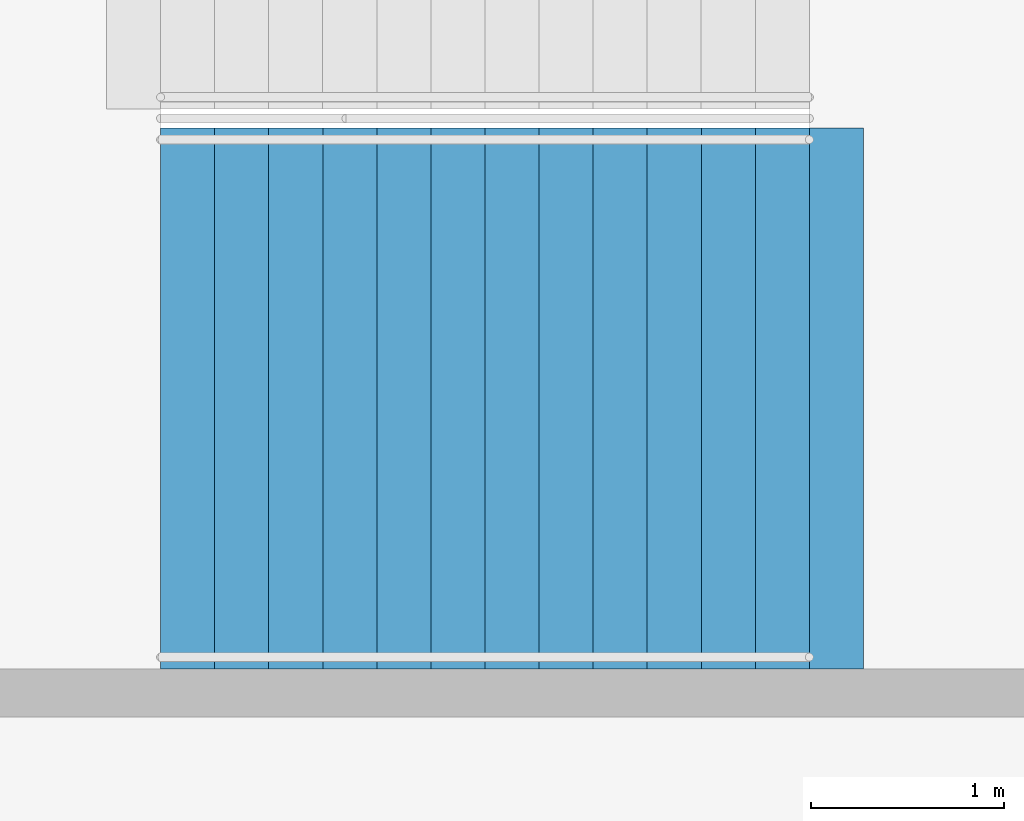
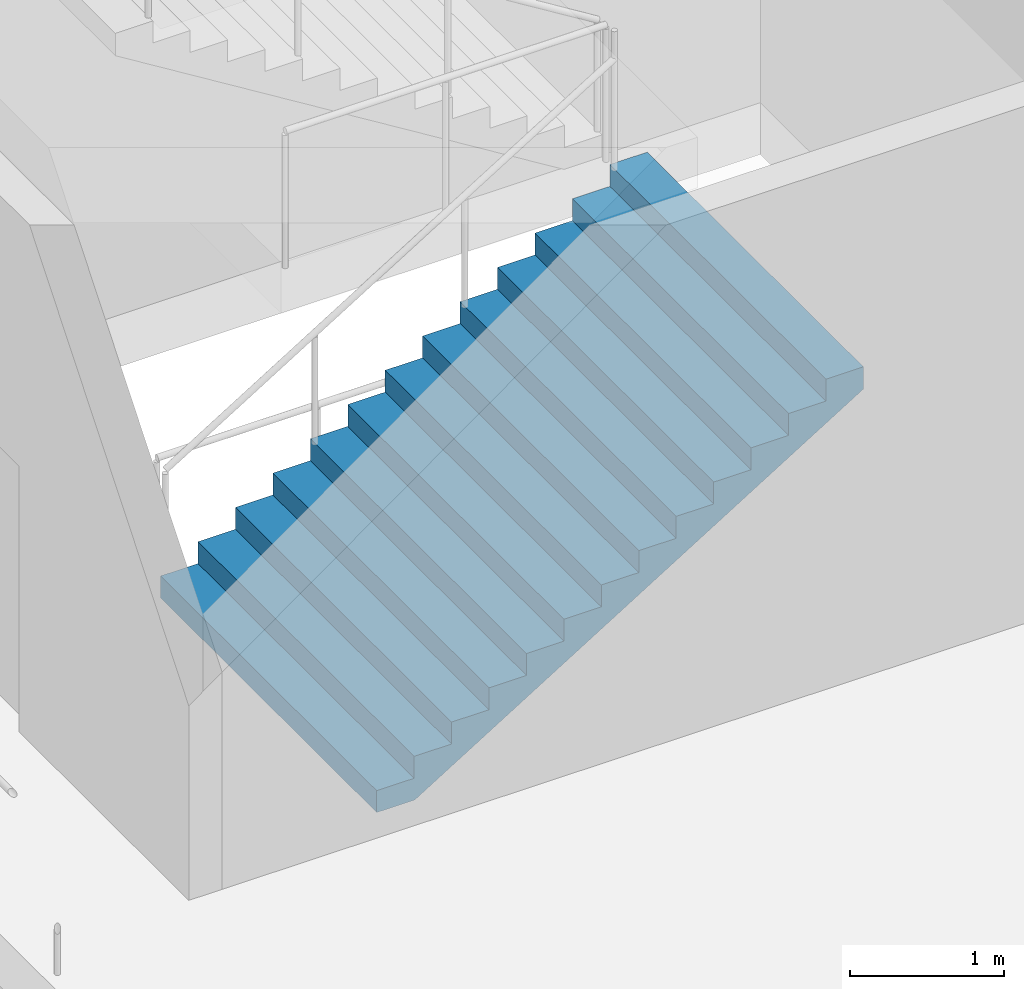
# One storey, part 127 of 177: 1 stair flight, 1 element without a shape of its own.
"""IFC4 building model written with IfcOpenShell, lengths in metres."""

from ifc_helpers import new_model, si_unit, direction, frame, origin, place, context, subcontext, project, spatial, faceted_brep, material, type_object, element, aggregate, save


model = new_model("IFC4")

# Units and contexts
model_context = context("Model", 3, precision=1e-05, world=origin(), true_north=direction((0.0, 1.0)))
body_context = subcontext(model_context, "Body", "Model", "MODEL_VIEW")
ifc_project = project(units=[si_unit("LENGTHUNIT", "METRE"), si_unit("AREAUNIT", "SQUARE_METRE"), si_unit("VOLUMEUNIT", "CUBIC_METRE"), si_unit("PLANEANGLEUNIT", "RADIAN"), si_unit("MASSUNIT", "GRAM", prefix="KILO")], contexts=[model_context])

# Site, building, storey
site_placement = place(None, origin())
site = spatial("IfcSite", under=ifc_project, at=site_placement, CompositionType="ELEMENT")
building_placement = place(site_placement, origin())
building = spatial("IfcBuilding", under=site, at=building_placement, Name="Ogive Plaza Stadium", CompositionType="ELEMENT")
storey_placement = place(building_placement, frame((0.0, 0.0, 18.0)))
storey = spatial("IfcBuildingStorey", under=building, at=storey_placement, Name="L04", CompositionType="ELEMENT", Elevation=18.0)

# Stair, stair flight
ifc_material_1 = material(Name="Concrete C40/50", Category="concrete")
stair_type = type_object("IfcStairType", Name="Exit stair", PredefinedType="STRAIGHT_RUN_STAIR", material=ifc_material_1)
stair_placement = place(storey_placement, origin())
stair = element("IfcStair", 1, at=stair_placement, inside=storey, type_object=stair_type, Name="Exit stair ST04A L04 to L05", PredefinedType="STRAIGHT_RUN_STAIR")
ifc_material_2 = material(Name="Concrete C40/50", Category="concrete")
stair_flight_type = type_object("IfcStairFlightType", Name="Exit stair flight", PredefinedType="STRAIGHT", material=ifc_material_2)
stair_flight_placement = place(storey_placement, frame((76.35009765625, 3.074951171875, 0.0), z_axis=(0.0, 0.0, 1.0), x_axis=(1.0, 0.0, 0.0)))
stair_flight = element("IfcStairFlight", 2, at=stair_flight_placement, type_object=stair_flight_type, Name="ST04A flight 1", NumberOfRisers=13, NumberOfTreads=12, PredefinedType="STRAIGHT", RiserHeight=0.173076923, TreadLength=0.28, context=body_context, shape_type="Brep", body=[
    faceted_brep([(0.28515625, -1.39990234375, 0.0), (3.639892578125, -1.39990234375, 2.07373046875), (3.639892578125, -1.39990234375, 2.25), (3.360107421875, -1.39990234375, 2.25), (3.360107421875, -1.39990234375, 2.076904296875), (3.080078125, -1.39990234375, 2.076904296875), (3.080078125, -1.39990234375, 1.90380859375), (2.800048828125, -1.39990234375, 1.90380859375), (2.800048828125, -1.39990234375, 1.730712890625), (2.52001953125, -1.39990234375, 1.730712890625), (2.52001953125, -1.39990234375, 1.5576171875), (2.239990234375, -1.39990234375, 1.5576171875), (2.239990234375, -1.39990234375, 1.384521484375), (1.9599609375, -1.39990234375, 1.384521484375), (1.9599609375, -1.39990234375, 1.21142578125), (1.679931640625, -1.39990234375, 1.21142578125), (1.679931640625, -1.39990234375, 1.03857421875), (1.39990234375, -1.39990234375, 1.03857421875), (1.39990234375, -1.39990234375, 0.865478515625), (1.1201171875, -1.39990234375, 0.865478515625), (1.1201171875, -1.39990234375, 0.6923828125), (0.840087890625, -1.39990234375, 0.6923828125), (0.840087890625, -1.39990234375, 0.519287109375), (0.56005859375, -1.39990234375, 0.519287109375), (0.56005859375, -1.39990234375, 0.34619140625), (0.280029296875, -1.39990234375, 0.34619140625), (0.280029296875, -1.39990234375, 0.173095703125), (0.0, -1.39990234375, 0.173095703125), (0.0, -1.39990234375, 0.0), (0.0, 1.39990234375, 0.0), (0.0, 1.39990234375, 0.173095703125), (0.280029296875, 1.39990234375, 0.173095703125), (0.280029296875, 1.39990234375, 0.34619140625), (0.56005859375, 1.39990234375, 0.34619140625), (0.56005859375, 1.39990234375, 0.519287109375), (0.840087890625, 1.39990234375, 0.519287109375), (0.840087890625, 1.39990234375, 0.6923828125), (1.1201171875, 1.39990234375, 0.6923828125), (1.1201171875, 1.39990234375, 0.865478515625), (1.39990234375, 1.39990234375, 0.865478515625), (1.39990234375, 1.39990234375, 1.03857421875), (1.679931640625, 1.39990234375, 1.03857421875), (1.679931640625, 1.39990234375, 1.21142578125), (1.9599609375, 1.39990234375, 1.21142578125), (1.9599609375, 1.39990234375, 1.384521484375), (2.239990234375, 1.39990234375, 1.384521484375), (2.239990234375, 1.39990234375, 1.5576171875), (2.52001953125, 1.39990234375, 1.5576171875), (2.52001953125, 1.39990234375, 1.730712890625), (2.800048828125, 1.39990234375, 1.730712890625), (2.800048828125, 1.39990234375, 1.90380859375), (3.080078125, 1.39990234375, 1.90380859375), (3.080078125, 1.39990234375, 2.076904296875), (3.360107421875, 1.39990234375, 2.076904296875), (3.360107421875, 1.39990234375, 2.25), (3.639892578125, 1.39990234375, 2.25), (3.639892578125, 1.39990234375, 2.07373046875), (0.28515625, 1.39990234375, 0.0), (0.28515625, -1.0888671875, 0.0), (3.639892578125, -1.0888671875, 2.07373046875), (0.28515625, -0.77783203125, 0.0), (3.639892578125, -0.77783203125, 2.07373046875), (0.28515625, -0.466796875, 0.0), (3.639892578125, -0.466796875, 2.07373046875), (0.28515625, -0.155517578125, 0.0), (3.639892578125, -0.155517578125, 2.07373046875), (0.28515625, 0.155517578125, 0.0), (3.639892578125, 0.155517578125, 2.07373046875), (0.28515625, 0.466796875, 0.0), (3.639892578125, 0.466796875, 2.07373046875), (0.28515625, 0.77783203125, 0.0), (3.639892578125, 0.77783203125, 2.07373046875), (0.28515625, 1.0888671875, 0.0), (3.639892578125, 1.0888671875, 2.07373046875), (3.639892578125, -1.0888671875, 2.25), (3.639892578125, -0.77783203125, 2.25), (3.639892578125, -0.466796875, 2.25), (3.639892578125, -0.155517578125, 2.25), (3.639892578125, 0.155517578125, 2.25), (3.639892578125, 0.466796875, 2.25), (3.639892578125, 0.77783203125, 2.25), (3.639892578125, 1.0888671875, 2.25), (3.360107421875, -1.0888671875, 2.25), (3.360107421875, -0.77783203125, 2.25), (3.360107421875, -0.466796875, 2.25), (3.360107421875, -0.155517578125, 2.25), (3.360107421875, 0.155517578125, 2.25), (3.360107421875, 0.466796875, 2.25), (3.360107421875, 0.77783203125, 2.25), (3.360107421875, 1.0888671875, 2.25), (3.360107421875, -1.0888671875, 2.076904296875), (3.360107421875, -0.77783203125, 2.076904296875), (3.360107421875, -0.466796875, 2.076904296875), (3.360107421875, -0.155517578125, 2.076904296875), (3.360107421875, 0.155517578125, 2.076904296875), (3.360107421875, 0.466796875, 2.076904296875), (3.360107421875, 0.77783203125, 2.076904296875), (3.360107421875, 1.0888671875, 2.076904296875), (3.080078125, -1.0888671875, 2.076904296875), (3.080078125, -0.77783203125, 2.076904296875), (3.080078125, -0.466796875, 2.076904296875), (3.080078125, -0.155517578125, 2.076904296875), (3.080078125, 0.155517578125, 2.076904296875), (3.080078125, 0.466796875, 2.076904296875), (3.080078125, 0.77783203125, 2.076904296875), (3.080078125, 1.0888671875, 2.076904296875), (3.080078125, -1.0888671875, 1.90380859375), (3.080078125, -0.77783203125, 1.90380859375), (3.080078125, -0.466796875, 1.90380859375), (3.080078125, -0.155517578125, 1.90380859375), (3.080078125, 0.155517578125, 1.90380859375), (3.080078125, 0.466796875, 1.90380859375), (3.080078125, 0.77783203125, 1.90380859375), (3.080078125, 1.0888671875, 1.90380859375), (2.800048828125, -1.0888671875, 1.90380859375), (2.800048828125, -0.77783203125, 1.90380859375), (2.800048828125, -0.466796875, 1.90380859375), (2.800048828125, -0.155517578125, 1.90380859375), (2.800048828125, 0.155517578125, 1.90380859375), (2.800048828125, 0.466796875, 1.90380859375), (2.800048828125, 0.77783203125, 1.90380859375), (2.800048828125, 1.0888671875, 1.90380859375), (2.800048828125, -1.0888671875, 1.730712890625), (2.800048828125, -0.77783203125, 1.730712890625), (2.800048828125, -0.466796875, 1.730712890625), (2.800048828125, -0.155517578125, 1.730712890625), (2.800048828125, 0.155517578125, 1.730712890625), (2.800048828125, 0.466796875, 1.730712890625), (2.800048828125, 0.77783203125, 1.730712890625), (2.800048828125, 1.0888671875, 1.730712890625), (2.52001953125, -1.0888671875, 1.730712890625), (2.52001953125, -0.77783203125, 1.730712890625), (2.52001953125, -0.466796875, 1.730712890625), (2.52001953125, -0.155517578125, 1.730712890625), (2.52001953125, 0.155517578125, 1.730712890625), (2.52001953125, 0.466796875, 1.730712890625), (2.52001953125, 0.77783203125, 1.730712890625), (2.52001953125, 1.0888671875, 1.730712890625), (2.52001953125, -1.0888671875, 1.5576171875), (2.52001953125, -0.77783203125, 1.5576171875), (2.52001953125, -0.466796875, 1.5576171875), (2.52001953125, -0.155517578125, 1.5576171875), (2.52001953125, 0.155517578125, 1.5576171875), (2.52001953125, 0.466796875, 1.5576171875), (2.52001953125, 0.77783203125, 1.5576171875), (2.52001953125, 1.0888671875, 1.5576171875), (2.239990234375, -1.0888671875, 1.5576171875), (2.239990234375, -0.77783203125, 1.5576171875), (2.239990234375, -0.466796875, 1.5576171875), (2.239990234375, -0.155517578125, 1.5576171875), (2.239990234375, 0.155517578125, 1.5576171875), (2.239990234375, 0.466796875, 1.5576171875), (2.239990234375, 0.77783203125, 1.5576171875), (2.239990234375, 1.0888671875, 1.5576171875), (2.239990234375, -1.0888671875, 1.384521484375), (2.239990234375, -0.77783203125, 1.384521484375), (2.239990234375, -0.466796875, 1.384521484375), (2.239990234375, -0.155517578125, 1.384521484375), (2.239990234375, 0.155517578125, 1.384521484375), (2.239990234375, 0.466796875, 1.384521484375), (2.239990234375, 0.77783203125, 1.384521484375), (2.239990234375, 1.0888671875, 1.384521484375), (1.9599609375, -1.0888671875, 1.384521484375), (1.9599609375, -0.77783203125, 1.384521484375), (1.9599609375, -0.466796875, 1.384521484375), (1.9599609375, -0.155517578125, 1.384521484375), (1.9599609375, 0.155517578125, 1.384521484375), (1.9599609375, 0.466796875, 1.384521484375), (1.9599609375, 0.77783203125, 1.384521484375), (1.9599609375, 1.0888671875, 1.384521484375), (1.9599609375, -1.0888671875, 1.21142578125), (1.9599609375, -0.77783203125, 1.21142578125), (1.9599609375, -0.466796875, 1.21142578125), (1.9599609375, -0.155517578125, 1.21142578125), (1.9599609375, 0.155517578125, 1.21142578125), (1.9599609375, 0.466796875, 1.21142578125), (1.9599609375, 0.77783203125, 1.21142578125), (1.9599609375, 1.0888671875, 1.21142578125), (1.679931640625, -1.0888671875, 1.21142578125), (1.679931640625, -0.77783203125, 1.21142578125), (1.679931640625, -0.466796875, 1.21142578125), (1.679931640625, -0.155517578125, 1.21142578125), (1.679931640625, 0.155517578125, 1.21142578125), (1.679931640625, 0.466796875, 1.21142578125), (1.679931640625, 0.77783203125, 1.21142578125), (1.679931640625, 1.0888671875, 1.21142578125), (1.679931640625, -1.0888671875, 1.03857421875), (1.679931640625, -0.77783203125, 1.03857421875), (1.679931640625, -0.466796875, 1.03857421875), (1.679931640625, -0.155517578125, 1.03857421875), (1.679931640625, 0.155517578125, 1.03857421875), (1.679931640625, 0.466796875, 1.03857421875), (1.679931640625, 0.77783203125, 1.03857421875), (1.679931640625, 1.0888671875, 1.03857421875), (1.39990234375, -1.0888671875, 1.03857421875), (1.39990234375, -0.77783203125, 1.03857421875), (1.39990234375, -0.466796875, 1.03857421875), (1.39990234375, -0.155517578125, 1.03857421875), (1.39990234375, 0.155517578125, 1.03857421875), (1.39990234375, 0.466796875, 1.03857421875), (1.39990234375, 0.77783203125, 1.03857421875), (1.39990234375, 1.0888671875, 1.03857421875), (1.39990234375, -1.0888671875, 0.865478515625), (1.39990234375, -0.77783203125, 0.865478515625), (1.39990234375, -0.466796875, 0.865478515625), (1.39990234375, -0.155517578125, 0.865478515625), (1.39990234375, 0.155517578125, 0.865478515625), (1.39990234375, 0.466796875, 0.865478515625), (1.39990234375, 0.77783203125, 0.865478515625), (1.39990234375, 1.0888671875, 0.865478515625), (1.1201171875, -1.0888671875, 0.865478515625), (1.1201171875, -0.77783203125, 0.865478515625), (1.1201171875, -0.466796875, 0.865478515625), (1.1201171875, -0.155517578125, 0.865478515625), (1.1201171875, 0.155517578125, 0.865478515625), (1.1201171875, 0.466796875, 0.865478515625), (1.1201171875, 0.77783203125, 0.865478515625), (1.1201171875, 1.0888671875, 0.865478515625), (1.1201171875, -1.0888671875, 0.6923828125), (1.1201171875, -0.77783203125, 0.6923828125), (1.1201171875, -0.466796875, 0.6923828125), (1.1201171875, -0.155517578125, 0.6923828125), (1.1201171875, 0.155517578125, 0.6923828125), (1.1201171875, 0.466796875, 0.6923828125), (1.1201171875, 0.77783203125, 0.6923828125), (1.1201171875, 1.0888671875, 0.6923828125), (0.840087890625, -1.0888671875, 0.6923828125), (0.840087890625, -0.77783203125, 0.6923828125), (0.840087890625, -0.466796875, 0.6923828125), (0.840087890625, -0.155517578125, 0.6923828125), (0.840087890625, 0.155517578125, 0.6923828125), (0.840087890625, 0.466796875, 0.6923828125), (0.840087890625, 0.77783203125, 0.6923828125), (0.840087890625, 1.0888671875, 0.6923828125), (0.840087890625, -1.0888671875, 0.519287109375), (0.840087890625, -0.77783203125, 0.519287109375), (0.840087890625, -0.466796875, 0.519287109375), (0.840087890625, -0.155517578125, 0.519287109375), (0.840087890625, 0.155517578125, 0.519287109375), (0.840087890625, 0.466796875, 0.519287109375), (0.840087890625, 0.77783203125, 0.519287109375), (0.840087890625, 1.0888671875, 0.519287109375), (0.56005859375, -1.0888671875, 0.519287109375), (0.56005859375, -0.77783203125, 0.519287109375), (0.56005859375, -0.466796875, 0.519287109375), (0.56005859375, -0.155517578125, 0.519287109375), (0.56005859375, 0.155517578125, 0.519287109375), (0.56005859375, 0.466796875, 0.519287109375), (0.56005859375, 0.77783203125, 0.519287109375), (0.56005859375, 1.0888671875, 0.519287109375), (0.56005859375, -1.0888671875, 0.34619140625), (0.56005859375, -0.77783203125, 0.34619140625), (0.56005859375, -0.466796875, 0.34619140625), (0.56005859375, -0.155517578125, 0.34619140625), (0.56005859375, 0.155517578125, 0.34619140625), (0.56005859375, 0.466796875, 0.34619140625), (0.56005859375, 0.77783203125, 0.34619140625), (0.56005859375, 1.0888671875, 0.34619140625), (0.280029296875, -1.0888671875, 0.34619140625), (0.280029296875, -0.77783203125, 0.34619140625), (0.280029296875, -0.466796875, 0.34619140625), (0.280029296875, -0.155517578125, 0.34619140625), (0.280029296875, 0.155517578125, 0.34619140625), (0.280029296875, 0.466796875, 0.34619140625), (0.280029296875, 0.77783203125, 0.34619140625), (0.280029296875, 1.0888671875, 0.34619140625), (0.280029296875, -1.0888671875, 0.173095703125), (0.280029296875, -0.77783203125, 0.173095703125), (0.280029296875, -0.466796875, 0.173095703125), (0.280029296875, -0.155517578125, 0.173095703125), (0.280029296875, 0.155517578125, 0.173095703125), (0.280029296875, 0.466796875, 0.173095703125), (0.280029296875, 0.77783203125, 0.173095703125), (0.280029296875, 1.0888671875, 0.173095703125), (0.0, -1.0888671875, 0.173095703125), (0.0, -0.77783203125, 0.173095703125), (0.0, -0.466796875, 0.173095703125), (0.0, -0.155517578125, 0.173095703125), (0.0, 0.155517578125, 0.173095703125), (0.0, 0.466796875, 0.173095703125), (0.0, 0.77783203125, 0.173095703125), (0.0, 1.0888671875, 0.173095703125), (0.0, -1.0888671875, 0.0), (0.0, -0.77783203125, 0.0), (0.0, -0.466796875, 0.0), (0.0, -0.155517578125, 0.0), (0.0, 0.155517578125, 0.0), (0.0, 0.466796875, 0.0), (0.0, 0.77783203125, 0.0), (0.0, 1.0888671875, 0.0)], [[[0, 1, 2, 3, 4, 5, 6, 7, 8, 9, 10, 11, 12, 13, 14, 15, 16, 17, 18, 19, 20, 21, 22, 23, 24, 25, 26, 27, 28]], [[29, 30, 31, 32, 33, 34, 35, 36, 37, 38, 39, 40, 41, 42, 43, 44, 45, 46, 47, 48, 49, 50, 51, 52, 53, 54, 55, 56, 57]], [[0, 58, 59, 1]], [[58, 60, 61, 59]], [[60, 62, 63, 61]], [[62, 64, 65, 63]], [[64, 66, 67, 65]], [[66, 68, 69, 67]], [[68, 70, 71, 69]], [[70, 72, 73, 71]], [[72, 57, 56, 73]], [[1, 59, 74, 2]], [[59, 61, 75, 74]], [[61, 63, 76, 75]], [[63, 65, 77, 76]], [[65, 67, 78, 77]], [[67, 69, 79, 78]], [[69, 71, 80, 79]], [[71, 73, 81, 80]], [[73, 56, 55, 81]], [[2, 74, 82, 3]], [[74, 75, 83, 82]], [[75, 76, 84, 83]], [[76, 77, 85, 84]], [[77, 78, 86, 85]], [[78, 79, 87, 86]], [[79, 80, 88, 87]], [[80, 81, 89, 88]], [[81, 55, 54, 89]], [[3, 82, 90, 4]], [[82, 83, 91, 90]], [[83, 84, 92, 91]], [[84, 85, 93, 92]], [[85, 86, 94, 93]], [[86, 87, 95, 94]], [[87, 88, 96, 95]], [[88, 89, 97, 96]], [[89, 54, 53, 97]], [[4, 90, 98, 5]], [[90, 91, 99, 98]], [[91, 92, 100, 99]], [[92, 93, 101, 100]], [[93, 94, 102, 101]], [[94, 95, 103, 102]], [[95, 96, 104, 103]], [[96, 97, 105, 104]], [[97, 53, 52, 105]], [[5, 98, 106, 6]], [[98, 99, 107, 106]], [[99, 100, 108, 107]], [[100, 101, 109, 108]], [[101, 102, 110, 109]], [[102, 103, 111, 110]], [[103, 104, 112, 111]], [[104, 105, 113, 112]], [[105, 52, 51, 113]], [[6, 106, 114, 7]], [[106, 107, 115, 114]], [[107, 108, 116, 115]], [[108, 109, 117, 116]], [[109, 110, 118, 117]], [[110, 111, 119, 118]], [[111, 112, 120, 119]], [[112, 113, 121, 120]], [[113, 51, 50, 121]], [[7, 114, 122, 8]], [[114, 115, 123, 122]], [[115, 116, 124, 123]], [[116, 117, 125, 124]], [[117, 118, 126, 125]], [[118, 119, 127, 126]], [[119, 120, 128, 127]], [[120, 121, 129, 128]], [[121, 50, 49, 129]], [[8, 122, 130, 9]], [[122, 123, 131, 130]], [[123, 124, 132, 131]], [[124, 125, 133, 132]], [[125, 126, 134, 133]], [[126, 127, 135, 134]], [[127, 128, 136, 135]], [[128, 129, 137, 136]], [[129, 49, 48, 137]], [[9, 130, 138, 10]], [[130, 131, 139, 138]], [[131, 132, 140, 139]], [[132, 133, 141, 140]], [[133, 134, 142, 141]], [[134, 135, 143, 142]], [[135, 136, 144, 143]], [[136, 137, 145, 144]], [[137, 48, 47, 145]], [[10, 138, 146, 11]], [[138, 139, 147, 146]], [[139, 140, 148, 147]], [[140, 141, 149, 148]], [[141, 142, 150, 149]], [[142, 143, 151, 150]], [[143, 144, 152, 151]], [[144, 145, 153, 152]], [[145, 47, 46, 153]], [[11, 146, 154, 12]], [[146, 147, 155, 154]], [[147, 148, 156, 155]], [[148, 149, 157, 156]], [[149, 150, 158, 157]], [[150, 151, 159, 158]], [[151, 152, 160, 159]], [[152, 153, 161, 160]], [[153, 46, 45, 161]], [[12, 154, 162, 13]], [[154, 155, 163, 162]], [[155, 156, 164, 163]], [[156, 157, 165, 164]], [[157, 158, 166, 165]], [[158, 159, 167, 166]], [[159, 160, 168, 167]], [[160, 161, 169, 168]], [[161, 45, 44, 169]], [[13, 162, 170, 14]], [[162, 163, 171, 170]], [[163, 164, 172, 171]], [[164, 165, 173, 172]], [[165, 166, 174, 173]], [[166, 167, 175, 174]], [[167, 168, 176, 175]], [[168, 169, 177, 176]], [[169, 44, 43, 177]], [[14, 170, 178, 15]], [[170, 171, 179, 178]], [[171, 172, 180, 179]], [[172, 173, 181, 180]], [[173, 174, 182, 181]], [[174, 175, 183, 182]], [[175, 176, 184, 183]], [[176, 177, 185, 184]], [[177, 43, 42, 185]], [[15, 178, 186, 16]], [[178, 179, 187, 186]], [[179, 180, 188, 187]], [[180, 181, 189, 188]], [[181, 182, 190, 189]], [[182, 183, 191, 190]], [[183, 184, 192, 191]], [[184, 185, 193, 192]], [[185, 42, 41, 193]], [[16, 186, 194, 17]], [[186, 187, 195, 194]], [[187, 188, 196, 195]], [[188, 189, 197, 196]], [[189, 190, 198, 197]], [[190, 191, 199, 198]], [[191, 192, 200, 199]], [[192, 193, 201, 200]], [[193, 41, 40, 201]], [[17, 194, 202, 18]], [[194, 195, 203, 202]], [[195, 196, 204, 203]], [[196, 197, 205, 204]], [[197, 198, 206, 205]], [[198, 199, 207, 206]], [[199, 200, 208, 207]], [[200, 201, 209, 208]], [[201, 40, 39, 209]], [[18, 202, 210, 19]], [[202, 203, 211, 210]], [[203, 204, 212, 211]], [[204, 205, 213, 212]], [[205, 206, 214, 213]], [[206, 207, 215, 214]], [[207, 208, 216, 215]], [[208, 209, 217, 216]], [[209, 39, 38, 217]], [[19, 210, 218, 20]], [[210, 211, 219, 218]], [[211, 212, 220, 219]], [[212, 213, 221, 220]], [[213, 214, 222, 221]], [[214, 215, 223, 222]], [[215, 216, 224, 223]], [[216, 217, 225, 224]], [[217, 38, 37, 225]], [[20, 218, 226, 21]], [[218, 219, 227, 226]], [[219, 220, 228, 227]], [[220, 221, 229, 228]], [[221, 222, 230, 229]], [[222, 223, 231, 230]], [[223, 224, 232, 231]], [[224, 225, 233, 232]], [[225, 37, 36, 233]], [[21, 226, 234, 22]], [[226, 227, 235, 234]], [[227, 228, 236, 235]], [[228, 229, 237, 236]], [[229, 230, 238, 237]], [[230, 231, 239, 238]], [[231, 232, 240, 239]], [[232, 233, 241, 240]], [[233, 36, 35, 241]], [[22, 234, 242, 23]], [[234, 235, 243, 242]], [[235, 236, 244, 243]], [[236, 237, 245, 244]], [[237, 238, 246, 245]], [[238, 239, 247, 246]], [[239, 240, 248, 247]], [[240, 241, 249, 248]], [[241, 35, 34, 249]], [[23, 242, 250, 24]], [[242, 243, 251, 250]], [[243, 244, 252, 251]], [[244, 245, 253, 252]], [[245, 246, 254, 253]], [[246, 247, 255, 254]], [[247, 248, 256, 255]], [[248, 249, 257, 256]], [[249, 34, 33, 257]], [[24, 250, 258, 25]], [[250, 251, 259, 258]], [[251, 252, 260, 259]], [[252, 253, 261, 260]], [[253, 254, 262, 261]], [[254, 255, 263, 262]], [[255, 256, 264, 263]], [[256, 257, 265, 264]], [[257, 33, 32, 265]], [[25, 258, 266, 26]], [[258, 259, 267, 266]], [[259, 260, 268, 267]], [[260, 261, 269, 268]], [[261, 262, 270, 269]], [[262, 263, 271, 270]], [[263, 264, 272, 271]], [[264, 265, 273, 272]], [[265, 32, 31, 273]], [[26, 266, 274, 27]], [[266, 267, 275, 274]], [[267, 268, 276, 275]], [[268, 269, 277, 276]], [[269, 270, 278, 277]], [[270, 271, 279, 278]], [[271, 272, 280, 279]], [[272, 273, 281, 280]], [[273, 31, 30, 281]], [[27, 274, 282, 28]], [[274, 275, 283, 282]], [[275, 276, 284, 283]], [[276, 277, 285, 284]], [[277, 278, 286, 285]], [[278, 279, 287, 286]], [[279, 280, 288, 287]], [[280, 281, 289, 288]], [[281, 30, 29, 289]], [[28, 282, 58, 0]], [[282, 283, 60, 58]], [[283, 284, 62, 60]], [[284, 285, 64, 62]], [[285, 286, 66, 64]], [[286, 287, 68, 66]], [[287, 288, 70, 68]], [[288, 289, 72, 70]], [[289, 29, 57, 72]]]),
])
aggregate(stair, [stair_flight])

save(model, "model.ifc")
